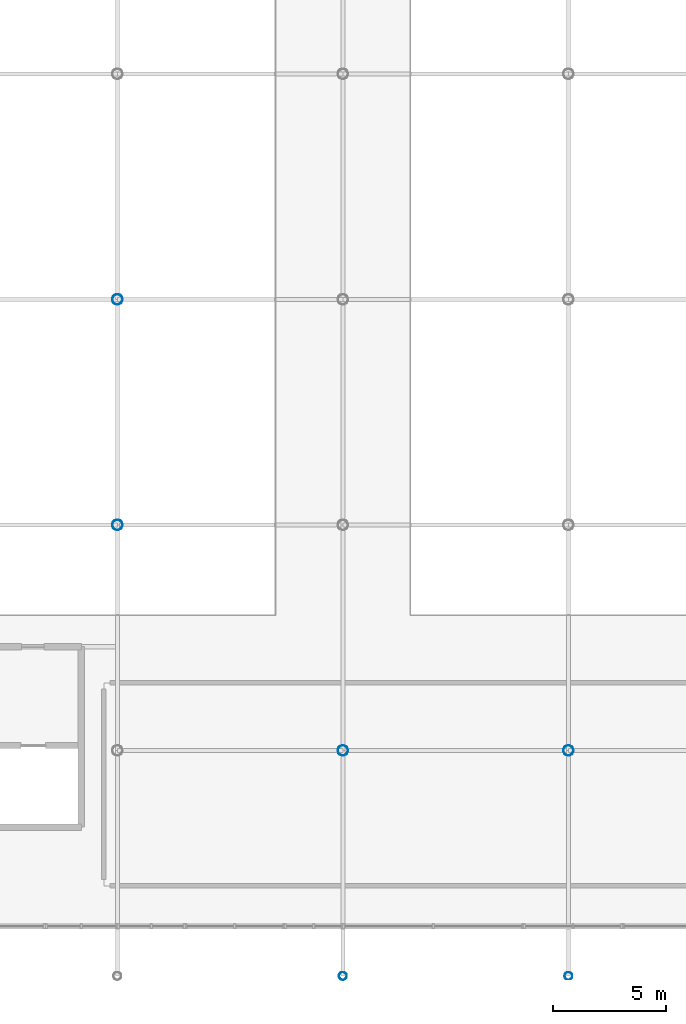
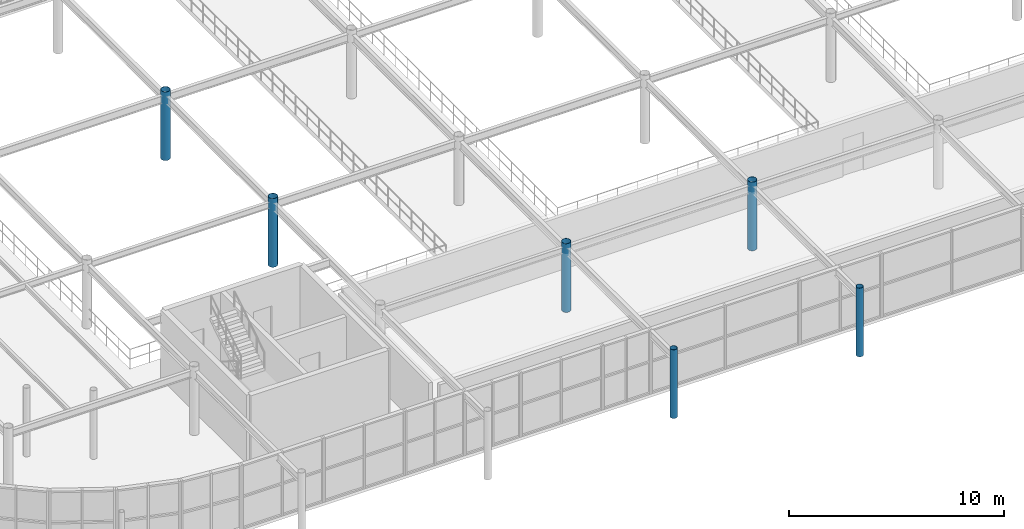
# One storey, part 9 of 98: 6 columns.
"""IFC4 building model written with IfcOpenShell, lengths in metres."""

from ifc_helpers import new_model, si_unit, derived_unit, direction, frame, origin, origin_2d_with_axis, place, context, subcontext, project, spatial, hollow_circle, extrude, material, material_profile, profile_set, type_object, element, save


model = new_model("IFC4")

# Units and contexts
model_context = context("Model", 3, precision=1e-05, world=origin(), true_north=direction((0.0, 1.0)))
body_context = subcontext(model_context, "Body", "Model", "MODEL_VIEW")
ifc_project = project(units=[si_unit("LENGTHUNIT", "METRE"), si_unit("AREAUNIT", "SQUARE_METRE"), si_unit("VOLUMEUNIT", "CUBIC_METRE"), si_unit("PLANEANGLEUNIT", "RADIAN"), si_unit("MASSUNIT", "GRAM", prefix="KILO"), derived_unit("THERMALTRANSMITTANCEUNIT", [(si_unit("POWERUNIT", "WATT"), 1), (si_unit("LENGTHUNIT", "METRE"), -2), (si_unit("THERMODYNAMICTEMPERATUREUNIT", "KELVIN"), -1)])], contexts=[model_context])

# Site, building, storey
site_placement = place(None, origin())
site = spatial("IfcSite", under=ifc_project, at=site_placement, CompositionType="ELEMENT")
building_placement = place(site_placement, origin())
building = spatial("IfcBuilding", under=site, at=building_placement, Name="Cinnabar Yard Market Hall", CompositionType="ELEMENT")
storey_placement = place(building_placement, frame((0.0, 0.0, 4.5)))
storey = spatial("IfcBuildingStorey", under=building, at=storey_placement, Name="L01", CompositionType="ELEMENT", Elevation=4.5)

# Columns
ifc_material = material(Name="Spotted-gum glulam-clad steel Grade 350 (350 MPa)", Category="steel")
ifc_material_profile_1 = material_profile(ifc_material, hollow_circle(Radius=0.228515625, WallThickness=0.0126953125, at=origin_2d_with_axis()), Name="457.0x12.7CHS")
ifc_profile_set_1 = profile_set([ifc_material_profile_1], Name="Spotted-gum glulam-clad steel Grade 350 (350 MPa)")
column_type_1 = type_object("IfcColumnType", Name="COL-C01", PredefinedType="COLUMN", material=ifc_profile_set_1)
for number, where, z_axis, x_axis, name in (
    (1, (96.0, 34.0, 0.0), (0.0, 0.0, 1.0), (1.0, 0.0, 0.0), "Tree Column V1I-03-02 L01"),
    (2, (96.0, 44.0, 0.0), (0.0, 0.0, 1.0), (1.0, 0.0, 0.0), "Tree Column V1I-03-03 L01"),
    (3, (106.0, 24.0, 0.0), (0.0, 0.0, 1.0), (1.0, 0.0, 0.0), "Tree Column V1I-04-01 L01"),
    (4, (116.0, 24.0, 0.0), (0.0, 0.0, 1.0), (1.0, 0.0, 0.0), "Tree Column V1I-05-01 L01"),
):
    element("IfcColumn", number, at=place(storey_placement, frame(where, z_axis=z_axis, x_axis=x_axis)), inside=storey, type_object=column_type_1, Name=name, PredefinedType="COLUMN", context=body_context, shape_type="SweptSolid", body=[
        extrude(hollow_circle(Radius=0.228515625, WallThickness=0.0126953125, at=origin_2d_with_axis()), origin(), (0.0, 0.0, 1.0), 3.89990234375),
    ])
ifc_material_profile_2 = material_profile(ifc_material, hollow_circle(Radius=0.177734375, WallThickness=0.0126953125, at=origin_2d_with_axis()), Name="355.6x12.7CHS")
ifc_profile_set_2 = profile_set([ifc_material_profile_2], Name="Spotted-gum glulam-clad steel Grade 350 (350 MPa)")
column_type_2 = type_object("IfcColumnType", Name="COL-C02E", PredefinedType="COLUMN", material=ifc_profile_set_2)
for number, where, z_axis, x_axis, name in (
    (5, (106.0, 14.0, 0.0), (0.0, 0.0, 1.0), (1.0, 0.0, 0.0), "Tree Column V1S-03 L01"),
    (6, (116.0, 14.0, 0.0), (0.0, 0.0, 1.0), (1.0, 0.0, 0.0), "Tree Column V1S-04 L01"),
):
    element("IfcColumn", number, at=place(storey_placement, frame(where, z_axis=z_axis, x_axis=x_axis)), inside=storey, type_object=column_type_2, Name=name, PredefinedType="COLUMN", context=body_context, shape_type="SweptSolid", body=[
        extrude(hollow_circle(Radius=0.177734375, WallThickness=0.0126953125, at=origin_2d_with_axis()), origin(), (0.0, 0.0, 1.0), 3.89990234375),
    ])

save(model, "model.ifc")
